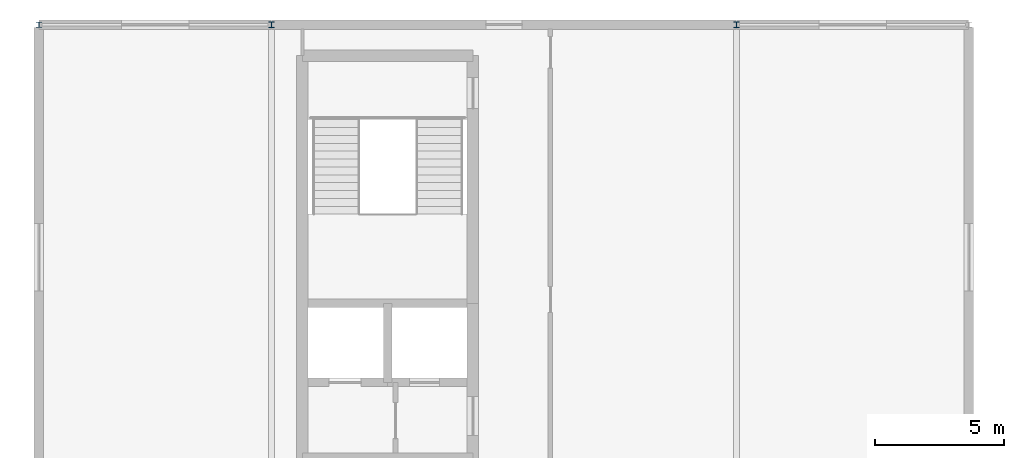
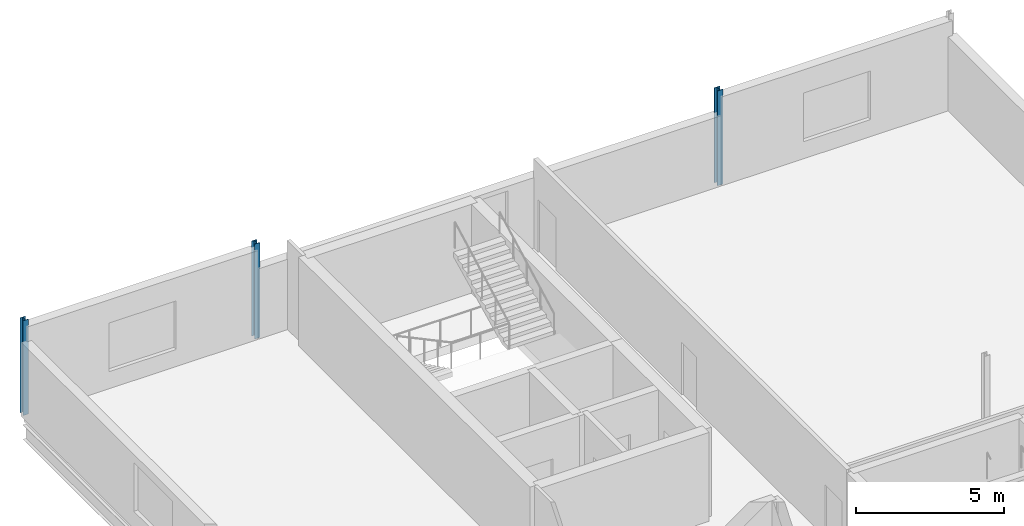
# One storey, part 7 of 35: 3 columns.
"""IFC4 building model written with IfcOpenShell, lengths in metres."""

from ifc_helpers import new_model, si_unit, direction, frame, origin, origin_2d, place, context, subcontext, project, spatial, i_section, extrude, material, material_profile, profile_set, type_object, element, save


model = new_model("IFC4")

# Units and contexts
model_context = context("Model", 3, precision=1e-05, world=origin(), true_north=direction((0.0, 1.0)))
body_context = subcontext(model_context, "Body", "Model", "MODEL_VIEW")
ifc_project = project(units=[si_unit("LENGTHUNIT", "METRE"), si_unit("AREAUNIT", "SQUARE_METRE"), si_unit("VOLUMEUNIT", "CUBIC_METRE"), si_unit("PLANEANGLEUNIT", "RADIAN"), si_unit("MASSUNIT", "GRAM", prefix="KILO")], contexts=[model_context])

# Site, building, storey
site_placement = place(None, origin())
site = spatial("IfcSite", under=ifc_project, at=site_placement, CompositionType="ELEMENT")
building_placement = place(site_placement, origin())
building = spatial("IfcBuilding", under=site, at=building_placement, Name="Kisiwana Market Hall", CompositionType="ELEMENT")
storey_placement = place(building_placement, frame((0.0, 0.0, 57.89990234375)))
storey = spatial("IfcBuildingStorey", under=building, at=storey_placement, Name="L13", CompositionType="ELEMENT", Elevation=57.89990234375)

# Columns
ifc_material_1 = material(Name="Steel S355", Category="steel")
ifc_material_profile_1 = material_profile(ifc_material_1, i_section(OverallWidth=0.205810546875, OverallDepth=0.209716796875, WebThickness=0.009521484375, FlangeThickness=0.01416015625, FilletRadius=0.01025390625, at=origin_2d()), Name="UC 203x203x60")
ifc_profile_set_1 = profile_set([ifc_material_profile_1], Name="Steel S355")
column_type_1 = type_object("IfcColumnType", Name="COL-STL-UC060", PredefinedType="COLUMN", material=ifc_profile_set_1)
column_placement = place(storey_placement, frame((0.0, 102.0, 0.0), z_axis=(0.0, 0.0, 1.0), x_axis=(1.0, 0.0, 0.0)))
element("IfcColumn", 1, at=column_placement, inside=storey, type_object=column_type_1, Name="Column N/1 (L13) C-1406", PredefinedType="COLUMN", context=body_context, shape_type="SweptSolid", body=[
    extrude(i_section(OverallWidth=0.205810546875, OverallDepth=0.209716796875, WebThickness=0.009521484375, FlangeThickness=0.01416015625, FilletRadius=0.01025390625, at=origin_2d()), origin(), (0.0, 0.0, 1.0), 3.900146484375),
])
ifc_material_2 = material(Name="Steel S355", Category="steel")
ifc_material_profile_2 = material_profile(ifc_material_2, i_section(OverallWidth=0.208984375, OverallDepth=0.22216796875, WebThickness=0.0126953125, FlangeThickness=0.0205078125, FilletRadius=0.01025390625, at=origin_2d()), Name="UC 203x203x86")
ifc_profile_set_2 = profile_set([ifc_material_profile_2], Name="Steel S355")
column_type_2 = type_object("IfcColumnType", Name="COL-STL-UC086", PredefinedType="COLUMN", material=ifc_profile_set_2)
for number, where, z_axis, x_axis, name in (
    (2, (9.0, 102.0, 0.0), (0.0, 0.0, 1.0), (1.0, 0.0, 0.0), "Column N/2 (L13) C-1410"),
    (3, (27.0, 102.0, 0.0), (0.0, 0.0, 1.0), (1.0, 0.0, 0.0), "Column N/4 (L13) C-1415"),
):
    element("IfcColumn", number, at=place(storey_placement, frame(where, z_axis=z_axis, x_axis=x_axis)), inside=storey, type_object=column_type_2, Name=name, PredefinedType="COLUMN", context=body_context, shape_type="SweptSolid", body=[
        extrude(i_section(OverallWidth=0.208984375, OverallDepth=0.22216796875, WebThickness=0.0126953125, FlangeThickness=0.0205078125, FilletRadius=0.01025390625, at=origin_2d()), origin(), (0.0, 0.0, 1.0), 3.900146484375),
    ])

save(model, "model.ifc")
